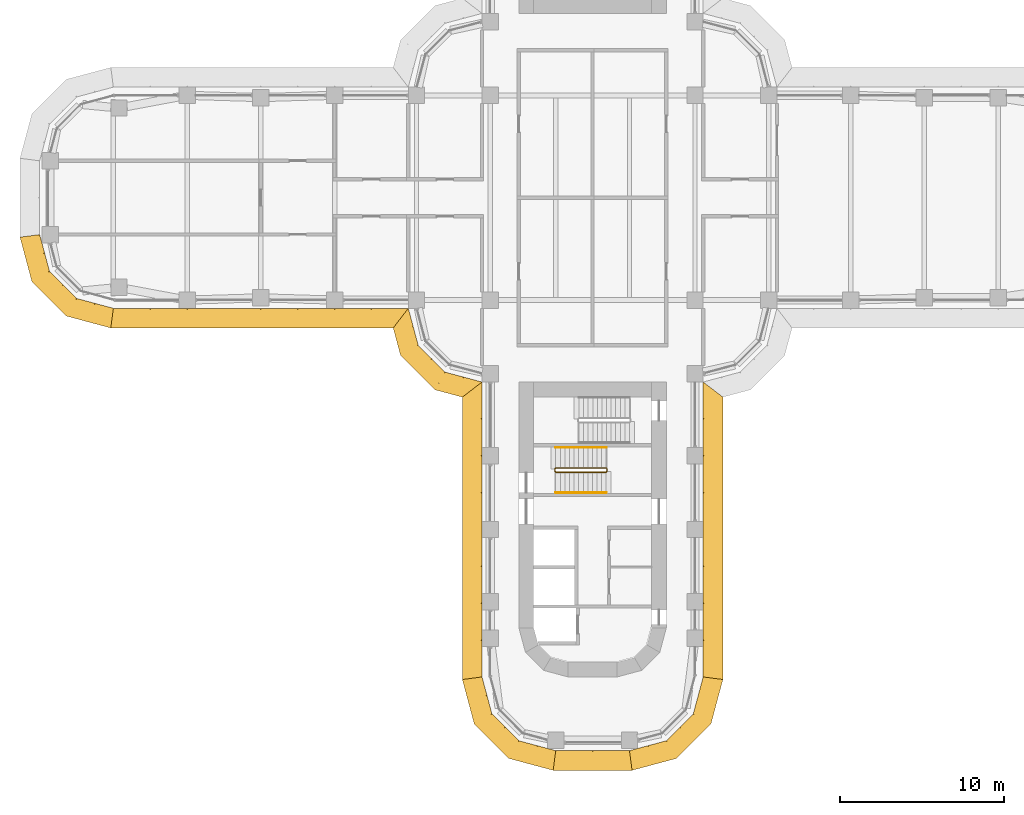
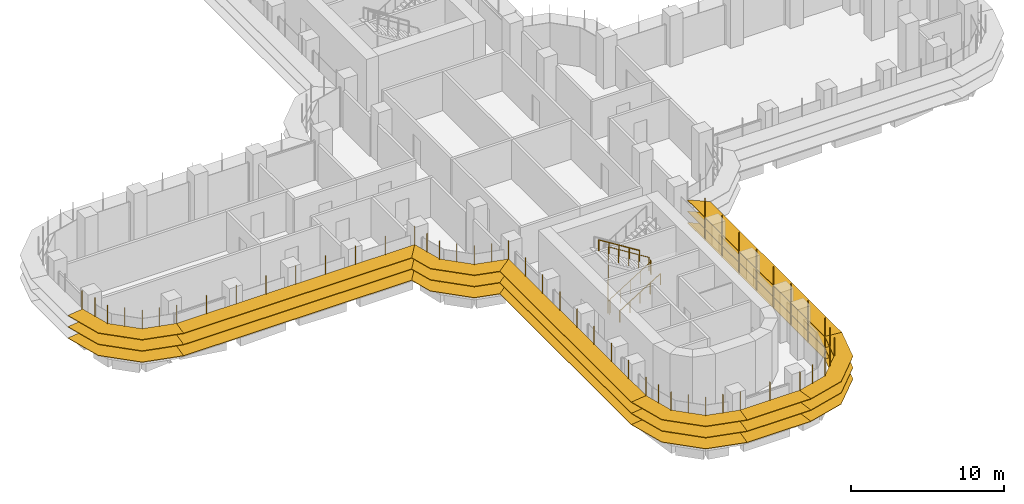
# One storey, part 20 of 23: 8 shading devices, 3 railings.
"""IFC4 building model written with IfcOpenShell, lengths in metres."""

from ifc_helpers import new_model, si_unit, direction, frame, origin, origin_2d, place, context, subcontext, project, spatial, polyline, circle, outline, extrude, faceted_brep, source, transform, mapped, material, type_object, element, save


model = new_model("IFC4")

# Units and contexts
model_context = context("Model", 3, precision=1e-05, world=origin(), true_north=direction((0.0, 1.0)))
body_context = subcontext(model_context, "Body", "Model", "MODEL_VIEW")
ifc_project = project(units=[si_unit("LENGTHUNIT", "METRE"), si_unit("AREAUNIT", "SQUARE_METRE"), si_unit("VOLUMEUNIT", "CUBIC_METRE"), si_unit("PLANEANGLEUNIT", "RADIAN"), si_unit("MASSUNIT", "GRAM", prefix="KILO")], contexts=[model_context])

# Site, building, storey
site_placement = place(None, origin())
site = spatial("IfcSite", under=ifc_project, at=site_placement, CompositionType="ELEMENT")
building_placement = place(site_placement, origin())
building = spatial("IfcBuilding", under=site, at=building_placement, Name="Zarbagh Exchange Tower", CompositionType="ELEMENT")
storey_placement = place(building_placement, frame((0.0, 0.0, 64.800048828125)))
storey = spatial("IfcBuildingStorey", under=building, at=storey_placement, Name="L14", CompositionType="ELEMENT", Elevation=64.800048828125)

# Railings
ifc_material_1 = material(Name="Stainless steel", Category="steel")
railing_type_1 = type_object("IfcRailingType", Name="Stair guard 1100 mm", PredefinedType="GUARDRAIL", material=ifc_material_1)
railing_1_placement = place(storey_placement, frame((0.830078125, -16.5, 2.27490234375)))
element("IfcRailing", 1, at=railing_1_placement, inside=storey, type_object=railing_type_1, Name="ST3 stair guard 1", PredefinedType="GUARDRAIL", context=body_context, shape_type="SweptSolid", body=[
    extrude(circle(Radius=0.02392578125, at=origin_2d()), frame((0.0, 0.0, 1.076171875), z_axis=(-0.847998304005, 0.0, 0.529998940003), x_axis=(0.0, -1.0, 0.0)), (0.0, 0.0, 1.0), 3.632080078125),
    extrude(circle(Radius=0.02392578125, at=origin_2d()), frame((-3.080078125, 0.0, 3.0009765625), z_axis=(-0.011914834358, -0.011914834358, -0.999858026644), x_axis=(0.707106781187, -0.707106781187, 0.0)), (0.0, 0.0, 1.0), 4.200439453125),
    extrude(circle(Radius=0.02392578125, at=origin_2d()), frame((-3.130126953125, -0.050048828125, -1.19873046875), z_axis=(0.0, -1.0, 0.0), x_axis=(1.0, 0.0, 0.0)), (0.0, 0.0, 1.0), 0.14990234375),
    extrude(circle(Radius=0.02392578125, at=origin_2d()), frame((-3.130126953125, -0.199951171875, -1.19873046875), z_axis=(0.265065253269, -0.265065253269, 0.927081885822), x_axis=(0.707106781187, 0.707106781187, 0.0)), (0.0, 0.0, 1.0), 0.188720703125),
    extrude(circle(Radius=0.02392578125, at=origin_2d()), frame((-3.080078125, -0.25, -1.02392578125), z_axis=(0.848028513186, 0.0, 0.529950602248), x_axis=(0.0, 1.0, 0.0)), (0.0, 0.0, 1.0), 3.632080078125),
    extrude(circle(Radius=0.02392578125, at=origin_2d()), frame((0.0, -0.25, 0.90087890625), z_axis=(0.705375805398, 0.708833529934, 0.0), x_axis=(-0.708833529934, 0.705375805398, 0.0)), (0.0, 0.0, 1.0), 0.070556640625),
    extrude(circle(Radius=0.02392578125, at=origin_2d()), frame((0.0498046875, -0.199951171875, 0.90087890625), z_axis=(0.0, 1.0, 0.0), x_axis=(-1.0, 0.0, 0.0)), (0.0, 0.0, 1.0), 0.14990234375),
    extrude(circle(Radius=0.02099609375, at=origin_2d()), origin(), (0.0, 0.0, 1.0), 1.052001953125),
    extrude(circle(Radius=0.02099609375, at=origin_2d()), frame((-0.77001953125, 0.0, 0.481201171875)), (0.0, 0.0, 1.0), 1.052001953125),
    extrude(circle(Radius=0.02099609375, at=origin_2d()), frame((-1.5400390625, 0.0, 0.96240234375)), (0.0, 0.0, 1.0), 1.052001953125),
    extrude(circle(Radius=0.02099609375, at=origin_2d()), frame((-2.31005859375, 0.0, 1.44384765625)), (0.0, 0.0, 1.0), 1.052001953125),
    extrude(circle(Radius=0.02099609375, at=origin_2d()), frame((-3.080078125, 0.0, 1.925048828125)), (0.0, 0.0, 1.0), 1.052001953125),
    extrude(circle(Radius=0.02099609375, at=origin_2d()), frame((-3.092529296875, -0.012451171875, 0.875)), (0.0, 0.0, 1.0), 1.052001953125),
    extrude(circle(Radius=0.02099609375, at=origin_2d()), frame((-3.10498046875, -0.02490234375, -0.1748046875)), (0.0, 0.0, 1.0), 1.052001953125),
    extrude(circle(Radius=0.02099609375, at=origin_2d()), frame((-3.11767578125, -0.03759765625, -1.224853515625)), (0.0, 0.0, 1.0), 1.052001953125),
    extrude(circle(Radius=0.02099609375, at=origin_2d()), frame((-3.130126953125, -0.050048828125, -2.27490234375)), (0.0, 0.0, 1.0), 1.052001953125),
    extrude(circle(Radius=0.02099609375, at=origin_2d()), frame((-3.130126953125, -0.199951171875, -2.27490234375)), (0.0, 0.0, 1.0), 1.052001953125),
    extrude(circle(Radius=0.02099609375, at=origin_2d()), frame((-3.080078125, -0.25, -2.099853515625)), (0.0, 0.0, 1.0), 1.052001953125),
    extrude(circle(Radius=0.02099609375, at=origin_2d()), frame((-2.31005859375, -0.25, -1.61865234375)), (0.0, 0.0, 1.0), 1.052001953125),
    extrude(circle(Radius=0.02099609375, at=origin_2d()), frame((-1.5400390625, -0.25, -1.137451171875)), (0.0, 0.0, 1.0), 1.052001953125),
    extrude(circle(Radius=0.02099609375, at=origin_2d()), frame((-0.77001953125, -0.25, -0.65625)), (0.0, 0.0, 1.0), 1.052001953125),
    extrude(circle(Radius=0.02099609375, at=origin_2d()), frame((0.0, -0.25, -0.175048828125)), (0.0, 0.0, 1.0), 1.052001953125),
    extrude(circle(Radius=0.02099609375, at=origin_2d()), frame((0.0498046875, -0.199951171875, -0.175048828125)), (0.0, 0.0, 1.0), 1.052001953125),
    extrude(circle(Radius=0.02099609375, at=origin_2d()), frame((0.0498046875, -0.050048828125, -0.175048828125)), (0.0, 0.0, 1.0), 1.052001953125),
])
railing_type_2 = type_object("IfcRailingType", Name="Stair handrail 900 mm", PredefinedType="HANDRAIL", material=ifc_material_1)
railing_2_placement = place(storey_placement, frame((-2.25, -18.0, 0.175048828125)))
element("IfcRailing", 2, at=railing_2_placement, inside=storey, type_object=railing_type_2, Name="ST3 stair handrail 1", PredefinedType="HANDRAIL", context=body_context, shape_type="SweptSolid", body=[
    extrude(circle(Radius=0.02392578125, at=origin_2d()), frame((0.0, 0.0, 0.8759765625), z_axis=(0.848028513186, 0.0, 0.529950602248), x_axis=(0.0, 1.0, 0.0)), (0.0, 0.0, 1.0), 3.632080078125),
    extrude(circle(Radius=0.02099609375, at=origin_2d()), origin(), (0.0, 0.0, 1.0), 0.851806640625),
    extrude(circle(Radius=0.02099609375, at=origin_2d()), frame((0.77001953125, 0.0, 0.481201171875)), (0.0, 0.0, 1.0), 0.851806640625),
    extrude(circle(Radius=0.02099609375, at=origin_2d()), frame((1.5400390625, 0.0, 0.96240234375)), (0.0, 0.0, 1.0), 0.851806640625),
    extrude(circle(Radius=0.02099609375, at=origin_2d()), frame((2.31005859375, 0.0, 1.443603515625)), (0.0, 0.0, 1.0), 0.851806640625),
    extrude(circle(Radius=0.02099609375, at=origin_2d()), frame((3.080078125, 0.0, 1.9248046875)), (0.0, 0.0, 1.0), 0.851806640625),
])
railing_3_placement = place(storey_placement, frame((0.830078125, -15.25, 2.27490234375)))
element("IfcRailing", 3, at=railing_3_placement, inside=storey, type_object=railing_type_2, Name="ST3 stair handrail 2", PredefinedType="HANDRAIL", context=body_context, shape_type="SweptSolid", body=[
    extrude(circle(Radius=0.02392578125, at=origin_2d()), frame((0.0, 0.0, 0.8759765625), z_axis=(-0.847998304005, 0.0, 0.529998940003), x_axis=(0.0, -1.0, 0.0)), (0.0, 0.0, 1.0), 3.632080078125),
    extrude(circle(Radius=0.02099609375, at=origin_2d()), origin(), (0.0, 0.0, 1.0), 0.851806640625),
    extrude(circle(Radius=0.02099609375, at=origin_2d()), frame((-0.77001953125, 0.0, 0.481201171875)), (0.0, 0.0, 1.0), 0.851806640625),
    extrude(circle(Radius=0.02099609375, at=origin_2d()), frame((-1.5400390625, 0.0, 0.96240234375)), (0.0, 0.0, 1.0), 0.851806640625),
    extrude(circle(Radius=0.02099609375, at=origin_2d()), frame((-2.31005859375, 0.0, 1.44384765625)), (0.0, 0.0, 1.0), 0.851806640625),
    extrude(circle(Radius=0.02099609375, at=origin_2d()), frame((-3.080078125, 0.0, 1.925048828125)), (0.0, 0.0, 1.0), 0.851806640625),
])

# Shading devices
ifc_material_2 = material(Name="Anodised aluminium blades and brackets", Category="aluminium")
shading_device_type = type_object("IfcShadingDeviceType", Name="SUNSHADE louvre band, 0 degree blades", PredefinedType="JALOUSIE", material=ifc_material_2)
shared_shape_1 = source(origin(), body_context, "Body", "Brep", [
    faceted_brep([(0.0, 0.0, 0.0), (0.0, 0.0, -0.0400390625), (-0.157958984375, -1.199951171875, -0.0400390625), (-0.157958984375, -1.199951171875, 0.0), (2.65087890625, -1.199951171875, 0.0), (2.65087890625, -1.199951171875, -0.0400390625), (2.329345703125, 0.0, -0.0400390625), (2.329345703125, 0.0, 0.0)], [[[0, 1, 2, 3]], [[4, 5, 6, 7]], [[0, 7, 6, 1]], [[1, 6, 5, 2]], [[2, 5, 4, 3]], [[3, 4, 7, 0]]]),
])
shared_shape_2 = source(origin(), body_context, "Body", "Brep", [
    faceted_brep([(0.0, 0.0, 0.0), (0.0, 0.0, -0.0400390625), (-0.321533203125, -1.199951171875, -0.0400390625), (-0.321533203125, -1.199951171875, 0.0), (2.65087890625, -1.199951171875, 0.0), (2.65087890625, -1.199951171875, -0.0400390625), (2.329345703125, 0.0, -0.0400390625), (2.329345703125, 0.0, 0.0)], [[[0, 1, 2, 3]], [[4, 5, 6, 7]], [[0, 7, 6, 1]], [[1, 6, 5, 2]], [[2, 5, 4, 3]], [[3, 4, 7, 0]]]),
])
shared_shape_3 = source(origin(), body_context, "Body", "Brep", [
    faceted_brep([(0.0, 0.0, 0.0), (0.0, 0.0, -0.0400390625), (-0.321533203125, -1.199951171875, -0.0400390625), (-0.321533203125, -1.199951171875, 0.0), (2.4873046875, -1.199951171875, 0.0), (2.4873046875, -1.199951171875, -0.0400390625), (2.329345703125, 0.0, -0.0400390625), (2.329345703125, 0.0, 0.0)], [[[0, 1, 2, 3]], [[4, 5, 6, 7]], [[0, 7, 6, 1]], [[1, 6, 5, 2]], [[2, 5, 4, 3]], [[3, 4, 7, 0]]]),
])
shared_shape_4 = source(origin(), body_context, "Body", "SweptSolid", [
    extrude(outline(polyline([(0.0, -0.012451171875), (0.06005859375, -0.012451171875), (0.06005859375, 0.012451171875), (0.0, 0.012451171875), (0.0, -0.012451171875)])), origin(), (0.0, 0.0, 1.0), 3.35009765625),
])
placement = place(storey_placement, origin())
element("IfcShadingDevice", 4, at=placement, inside=storey, type_object=shading_device_type, Name="SS01 sunshade band", PredefinedType="JALOUSIE", context=body_context, shape_type="MappedRepresentation", body=[
    mapped(shared_shape_1, transform((2.25, -33.75, 2.699951171875), x_axis=(0.965924289636, 0.258824779902, 0.0), y_axis=(-0.258824779902, 0.965924289636, 0.0), z_axis=(0.0, 0.0, 1.0))),
    mapped(shared_shape_1, transform((2.25, -33.75, 1.800048828125), x_axis=(0.965924289636, 0.258824779902, 0.0), y_axis=(-0.258824779902, 0.965924289636, 0.0), z_axis=(0.0, 0.0, 1.0))),
    mapped(shared_shape_1, transform((2.25, -33.75, 0.89990234375), x_axis=(0.965924289636, 0.258824779902, 0.0), y_axis=(-0.258824779902, 0.965924289636, 0.0), z_axis=(0.0, 0.0, 1.0))),
    mapped(shared_shape_2, transform((4.5, -33.147216796875, 2.699951171875), x_axis=(0.707106781187, 0.707106781187, 0.0), y_axis=(-0.707106781187, 0.707106781187, 0.0), z_axis=(0.0, 0.0, 1.0))),
    mapped(shared_shape_2, transform((4.5, -33.147216796875, 1.800048828125), x_axis=(0.707106781187, 0.707106781187, 0.0), y_axis=(-0.707106781187, 0.707106781187, 0.0), z_axis=(0.0, 0.0, 1.0))),
    mapped(shared_shape_2, transform((4.5, -33.147216796875, 0.89990234375), x_axis=(0.707106781187, 0.707106781187, 0.0), y_axis=(-0.707106781187, 0.707106781187, 0.0), z_axis=(0.0, 0.0, 1.0))),
    mapped(shared_shape_3, transform((6.147216796875, -31.5, 2.699951171875), x_axis=(0.258824779902, 0.965924289636, 0.0), y_axis=(-0.965924289636, 0.258824779902, 0.0), z_axis=(0.0, 0.0, 1.0))),
    mapped(shared_shape_3, transform((6.147216796875, -31.5, 1.800048828125), x_axis=(0.258824779902, 0.965924289636, 0.0), y_axis=(-0.965924289636, 0.258824779902, 0.0), z_axis=(0.0, 0.0, 1.0))),
    mapped(shared_shape_3, transform((6.147216796875, -31.5, 0.89990234375), x_axis=(0.258824779902, 0.965924289636, 0.0), y_axis=(-0.965924289636, 0.258824779902, 0.0), z_axis=(0.0, 0.0, 1.0))),
    mapped(shared_shape_4, transform((2.25, -33.75, 0.829833984375), x_axis=(0.130529263012, -0.991444457092, 0.0), y_axis=(0.991444457092, 0.130529263012, 0.0), z_axis=(0.0, 0.0, 1.0))),
    mapped(shared_shape_4, transform((3.375, -33.448486328125, 0.829833984375), x_axis=(0.258825058029, -0.96592421511, 0.0), y_axis=(0.96592421511, 0.258825058029, 0.0), z_axis=(0.0, 0.0, 1.0))),
    mapped(shared_shape_4, transform((4.5, -33.147216796875, 0.829833984375), x_axis=(0.50000275701, -0.866023812018, 0.0), y_axis=(0.866023812018, 0.50000275701, 0.0), z_axis=(0.0, 0.0, 1.0))),
    mapped(shared_shape_4, transform((5.323486328125, -32.323486328125, 0.829833984375), x_axis=(0.707106781187, -0.707106781187, 0.0), y_axis=(0.707106781187, 0.707106781187, 0.0), z_axis=(0.0, 0.0, 1.0))),
    mapped(shared_shape_4, transform((6.147216796875, -31.5, 0.829833984375), x_axis=(0.866023812018, -0.50000275701, 0.0), y_axis=(0.50000275701, 0.866023812018, 0.0), z_axis=(0.0, 0.0, 1.0))),
    mapped(shared_shape_4, transform((6.448486328125, -30.375, 0.829833984375), x_axis=(0.96592421511, -0.258825058029, 0.0), y_axis=(0.258825058029, 0.96592421511, 0.0), z_axis=(0.0, 0.0, 1.0))),
])
element("IfcShadingDevice", 5, at=placement, inside=storey, type_object=shading_device_type, Name="SS19 sunshade band", PredefinedType="JALOUSIE", context=body_context, shape_type="MappedRepresentation", body=[
    mapped(shared_shape_1, transform((-33.75, -2.25, 2.699951171875), x_axis=(0.258824779902, -0.965924289636, 0.0), y_axis=(0.965924289636, 0.258824779902, 0.0), z_axis=(0.0, 0.0, 1.0))),
    mapped(shared_shape_1, transform((-33.75, -2.25, 1.800048828125), x_axis=(0.258824779902, -0.965924289636, 0.0), y_axis=(0.965924289636, 0.258824779902, 0.0), z_axis=(0.0, 0.0, 1.0))),
    mapped(shared_shape_1, transform((-33.75, -2.25, 0.89990234375), x_axis=(0.258824779902, -0.965924289636, 0.0), y_axis=(0.965924289636, 0.258824779902, 0.0), z_axis=(0.0, 0.0, 1.0))),
    mapped(shared_shape_2, transform((-33.147216796875, -4.5, 2.699951171875), x_axis=(0.707106781187, -0.707106781187, 0.0), y_axis=(0.707106781187, 0.707106781187, 0.0), z_axis=(0.0, 0.0, 1.0))),
    mapped(shared_shape_2, transform((-33.147216796875, -4.5, 1.800048828125), x_axis=(0.707106781187, -0.707106781187, 0.0), y_axis=(0.707106781187, 0.707106781187, 0.0), z_axis=(0.0, 0.0, 1.0))),
    mapped(shared_shape_2, transform((-33.147216796875, -4.5, 0.89990234375), x_axis=(0.707106781187, -0.707106781187, 0.0), y_axis=(0.707106781187, 0.707106781187, 0.0), z_axis=(0.0, 0.0, 1.0))),
    mapped(shared_shape_3, transform((-31.5, -6.147216796875, 2.699951171875), x_axis=(0.965924289636, -0.258824779902, 0.0), y_axis=(0.258824779902, 0.965924289636, 0.0), z_axis=(0.0, 0.0, 1.0))),
    mapped(shared_shape_3, transform((-31.5, -6.147216796875, 1.800048828125), x_axis=(0.965924289636, -0.258824779902, 0.0), y_axis=(0.258824779902, 0.965924289636, 0.0), z_axis=(0.0, 0.0, 1.0))),
    mapped(shared_shape_3, transform((-31.5, -6.147216796875, 0.89990234375), x_axis=(0.965924289636, -0.258824779902, 0.0), y_axis=(0.258824779902, 0.965924289636, 0.0), z_axis=(0.0, 0.0, 1.0))),
    mapped(shared_shape_4, transform((-33.75, -2.25, 0.829833984375), x_axis=(-0.991444457092, -0.130529263012, 0.0), y_axis=(0.130529263012, -0.991444457092, 0.0), z_axis=(0.0, 0.0, 1.0))),
    mapped(shared_shape_4, transform((-33.448486328125, -3.375, 0.829833984375), x_axis=(-0.96592421511, -0.258825058029, 0.0), y_axis=(0.258825058029, -0.96592421511, 0.0), z_axis=(0.0, 0.0, 1.0))),
    mapped(shared_shape_4, transform((-33.147216796875, -4.5, 0.829833984375), x_axis=(-0.866023812018, -0.50000275701, 0.0), y_axis=(0.50000275701, -0.866023812018, 0.0), z_axis=(0.0, 0.0, 1.0))),
    mapped(shared_shape_4, transform((-32.323486328125, -5.323486328125, 0.829833984375), x_axis=(-0.707106781187, -0.707106781187, 0.0), y_axis=(0.707106781187, -0.707106781187, 0.0), z_axis=(0.0, 0.0, 1.0))),
    mapped(shared_shape_4, transform((-31.5, -6.147216796875, 0.829833984375), x_axis=(-0.50000275701, -0.866023812018, 0.0), y_axis=(0.866023812018, -0.50000275701, 0.0), z_axis=(0.0, 0.0, 1.0))),
    mapped(shared_shape_4, transform((-30.375, -6.448486328125, 0.829833984375), x_axis=(-0.258825058029, -0.96592421511, 0.0), y_axis=(0.96592421511, -0.258825058029, 0.0), z_axis=(0.0, 0.0, 1.0))),
])
element("IfcShadingDevice", 6, at=placement, inside=storey, type_object=shading_device_type, Name="SS23 sunshade band", PredefinedType="JALOUSIE", context=body_context, shape_type="MappedRepresentation", body=[
    mapped(shared_shape_1, transform((-6.75, -29.25, 2.699951171875), x_axis=(0.258824779902, -0.965924289636, 0.0), y_axis=(0.965924289636, 0.258824779902, 0.0), z_axis=(0.0, 0.0, 1.0))),
    mapped(shared_shape_1, transform((-6.75, -29.25, 1.800048828125), x_axis=(0.258824779902, -0.965924289636, 0.0), y_axis=(0.965924289636, 0.258824779902, 0.0), z_axis=(0.0, 0.0, 1.0))),
    mapped(shared_shape_1, transform((-6.75, -29.25, 0.89990234375), x_axis=(0.258824779902, -0.965924289636, 0.0), y_axis=(0.965924289636, 0.258824779902, 0.0), z_axis=(0.0, 0.0, 1.0))),
    mapped(shared_shape_2, transform((-6.147216796875, -31.5, 2.699951171875), x_axis=(0.707106781187, -0.707106781187, 0.0), y_axis=(0.707106781187, 0.707106781187, 0.0), z_axis=(0.0, 0.0, 1.0))),
    mapped(shared_shape_2, transform((-6.147216796875, -31.5, 1.800048828125), x_axis=(0.707106781187, -0.707106781187, 0.0), y_axis=(0.707106781187, 0.707106781187, 0.0), z_axis=(0.0, 0.0, 1.0))),
    mapped(shared_shape_2, transform((-6.147216796875, -31.5, 0.89990234375), x_axis=(0.707106781187, -0.707106781187, 0.0), y_axis=(0.707106781187, 0.707106781187, 0.0), z_axis=(0.0, 0.0, 1.0))),
    mapped(shared_shape_3, transform((-4.5, -33.147216796875, 2.699951171875), x_axis=(0.965924289636, -0.258824779902, 0.0), y_axis=(0.258824779902, 0.965924289636, 0.0), z_axis=(0.0, 0.0, 1.0))),
    mapped(shared_shape_3, transform((-4.5, -33.147216796875, 1.800048828125), x_axis=(0.965924289636, -0.258824779902, 0.0), y_axis=(0.258824779902, 0.965924289636, 0.0), z_axis=(0.0, 0.0, 1.0))),
    mapped(shared_shape_3, transform((-4.5, -33.147216796875, 0.89990234375), x_axis=(0.965924289636, -0.258824779902, 0.0), y_axis=(0.258824779902, 0.965924289636, 0.0), z_axis=(0.0, 0.0, 1.0))),
    mapped(shared_shape_4, transform((-6.75, -29.25, 0.829833984375), x_axis=(-0.991444457092, -0.130529263012, 0.0), y_axis=(0.130529263012, -0.991444457092, 0.0), z_axis=(0.0, 0.0, 1.0))),
    mapped(shared_shape_4, transform((-6.448486328125, -30.375, 0.829833984375), x_axis=(-0.96592421511, -0.258825058029, 0.0), y_axis=(0.258825058029, -0.96592421511, 0.0), z_axis=(0.0, 0.0, 1.0))),
    mapped(shared_shape_4, transform((-6.147216796875, -31.5, 0.829833984375), x_axis=(-0.866023812018, -0.50000275701, 0.0), y_axis=(0.50000275701, -0.866023812018, 0.0), z_axis=(0.0, 0.0, 1.0))),
    mapped(shared_shape_4, transform((-5.323486328125, -32.323486328125, 0.829833984375), x_axis=(-0.707106781187, -0.707106781187, 0.0), y_axis=(0.707106781187, -0.707106781187, 0.0), z_axis=(0.0, 0.0, 1.0))),
    mapped(shared_shape_4, transform((-4.5, -33.147216796875, 0.829833984375), x_axis=(-0.50000275701, -0.866023812018, 0.0), y_axis=(0.866023812018, -0.50000275701, 0.0), z_axis=(0.0, 0.0, 1.0))),
    mapped(shared_shape_4, transform((-3.375, -33.448486328125, 0.829833984375), x_axis=(-0.258825058029, -0.96592421511, 0.0), y_axis=(0.96592421511, -0.258825058029, 0.0), z_axis=(0.0, 0.0, 1.0))),
])
shared_shape_5 = source(origin(), body_context, "Body", "Brep", [
    faceted_brep([(0.0, 0.0, 0.0), (0.0, 0.0, -0.0400390625), (0.9208984375, -1.199951171875, -0.0400390625), (0.9208984375, -1.199951171875, 0.0), (2.65087890625, -1.199951171875, 0.0), (2.65087890625, -1.199951171875, -0.0400390625), (2.329345703125, 0.0, -0.0400390625), (2.329345703125, 0.0, 0.0)], [[[0, 1, 2, 3]], [[4, 5, 6, 7]], [[0, 7, 6, 1]], [[1, 6, 5, 2]], [[2, 5, 4, 3]], [[3, 4, 7, 0]]]),
])
shared_shape_6 = source(origin(), body_context, "Body", "Brep", [
    faceted_brep([(0.0, 0.0, 0.0), (0.0, 0.0, -0.0400390625), (-0.321533203125, -1.199951171875, -0.0400390625), (-0.321533203125, -1.199951171875, 0.0), (1.40869140625, -1.199951171875, 0.0), (1.40869140625, -1.199951171875, -0.0400390625), (2.329345703125, 0.0, -0.0400390625), (2.329345703125, 0.0, 0.0)], [[[0, 1, 2, 3]], [[4, 5, 6, 7]], [[0, 7, 6, 1]], [[1, 6, 5, 2]], [[2, 5, 4, 3]], [[3, 4, 7, 0]]]),
])
element("IfcShadingDevice", 7, at=placement, inside=storey, type_object=shading_device_type, Name="SS21 sunshade band", PredefinedType="JALOUSIE", context=body_context, shape_type="MappedRepresentation", body=[
    mapped(shared_shape_5, transform((-11.25, -6.75, 2.699951171875), x_axis=(0.258824779902, -0.965924289636, 0.0), y_axis=(0.965924289636, 0.258824779902, 0.0), z_axis=(0.0, 0.0, 1.0))),
    mapped(shared_shape_5, transform((-11.25, -6.75, 1.800048828125), x_axis=(0.258824779902, -0.965924289636, 0.0), y_axis=(0.965924289636, 0.258824779902, 0.0), z_axis=(0.0, 0.0, 1.0))),
    mapped(shared_shape_5, transform((-11.25, -6.75, 0.89990234375), x_axis=(0.258824779902, -0.965924289636, 0.0), y_axis=(0.965924289636, 0.258824779902, 0.0), z_axis=(0.0, 0.0, 1.0))),
    mapped(shared_shape_2, transform((-10.647216796875, -9.0, 2.699951171875), x_axis=(0.707106781187, -0.707106781187, 0.0), y_axis=(0.707106781187, 0.707106781187, 0.0), z_axis=(0.0, 0.0, 1.0))),
    mapped(shared_shape_2, transform((-10.647216796875, -9.0, 1.800048828125), x_axis=(0.707106781187, -0.707106781187, 0.0), y_axis=(0.707106781187, 0.707106781187, 0.0), z_axis=(0.0, 0.0, 1.0))),
    mapped(shared_shape_2, transform((-10.647216796875, -9.0, 0.89990234375), x_axis=(0.707106781187, -0.707106781187, 0.0), y_axis=(0.707106781187, 0.707106781187, 0.0), z_axis=(0.0, 0.0, 1.0))),
    mapped(shared_shape_6, transform((-9.0, -10.647216796875, 2.699951171875), x_axis=(0.965924289636, -0.258824779902, 0.0), y_axis=(0.258824779902, 0.965924289636, 0.0), z_axis=(0.0, 0.0, 1.0))),
    mapped(shared_shape_6, transform((-9.0, -10.647216796875, 1.800048828125), x_axis=(0.965924289636, -0.258824779902, 0.0), y_axis=(0.258824779902, 0.965924289636, 0.0), z_axis=(0.0, 0.0, 1.0))),
    mapped(shared_shape_6, transform((-9.0, -10.647216796875, 0.89990234375), x_axis=(0.965924289636, -0.258824779902, 0.0), y_axis=(0.258824779902, 0.965924289636, 0.0), z_axis=(0.0, 0.0, 1.0))),
    mapped(shared_shape_4, transform((-11.25, -6.75, 0.829833984375), x_axis=(-0.608758892, -0.793355287, 0.0), y_axis=(0.793355287, -0.608758892, 0.0), z_axis=(0.0, 0.0, 1.0))),
    mapped(shared_shape_4, transform((-10.948486328125, -7.875, 0.829833984375), x_axis=(-0.96592421511, -0.258825058029, 0.0), y_axis=(0.258825058029, -0.96592421511, 0.0), z_axis=(0.0, 0.0, 1.0))),
    mapped(shared_shape_4, transform((-10.647216796875, -9.0, 0.829833984375), x_axis=(-0.866023812018, -0.50000275701, 0.0), y_axis=(0.50000275701, -0.866023812018, 0.0), z_axis=(0.0, 0.0, 1.0))),
    mapped(shared_shape_4, transform((-9.823486328125, -9.823486328125, 0.829833984375), x_axis=(-0.707106781187, -0.707106781187, 0.0), y_axis=(0.707106781187, -0.707106781187, 0.0), z_axis=(0.0, 0.0, 1.0))),
    mapped(shared_shape_4, transform((-9.0, -10.647216796875, 0.829833984375), x_axis=(-0.50000275701, -0.866023812018, 0.0), y_axis=(0.866023812018, -0.50000275701, 0.0), z_axis=(0.0, 0.0, 1.0))),
    mapped(shared_shape_4, transform((-7.875, -10.948486328125, 0.829833984375), x_axis=(-0.258825058029, -0.96592421511, 0.0), y_axis=(0.96592421511, -0.258825058029, 0.0), z_axis=(0.0, 0.0, 1.0))),
])
shared_shape_7 = source(origin(), body_context, "Body", "Brep", [
    faceted_brep([(0.0, 0.0, 0.0), (0.0, 0.0, -0.0400390625), (-0.157958984375, -1.199951171875, -0.0400390625), (-0.157958984375, -1.199951171875, 0.0), (17.0791015625, -1.199951171875, 0.0), (17.0791015625, -1.199951171875, -0.0400390625), (18.0, 0.0, -0.0400390625), (18.0, 0.0, 0.0)], [[[0, 1, 2, 3]], [[4, 5, 6, 7]], [[0, 7, 6, 1]], [[1, 6, 5, 2]], [[2, 5, 4, 3]], [[3, 4, 7, 0]]]),
])
element("IfcShadingDevice", 8, at=placement, inside=storey, type_object=shading_device_type, Name="SS02 sunshade band", PredefinedType="JALOUSIE", context=body_context, shape_type="MappedRepresentation", body=[
    mapped(shared_shape_7, transform((6.75, -29.25, 2.699951171875), x_axis=(0.0, 1.0, 0.0), y_axis=(-1.0, 0.0, 0.0), z_axis=(0.0, 0.0, 1.0))),
    mapped(shared_shape_7, transform((6.75, -29.25, 1.800048828125), x_axis=(0.0, 1.0, 0.0), y_axis=(-1.0, 0.0, 0.0), z_axis=(0.0, 0.0, 1.0))),
    mapped(shared_shape_7, transform((6.75, -29.25, 0.89990234375), x_axis=(0.0, 1.0, 0.0), y_axis=(-1.0, 0.0, 0.0), z_axis=(0.0, 0.0, 1.0))),
    mapped(shared_shape_4, transform((6.75, -29.25, 0.829833984375), x_axis=(0.991444457092, -0.130529263012, 0.0), y_axis=(0.130529263012, 0.991444457092, 0.0), z_axis=(0.0, 0.0, 1.0))),
    mapped(shared_shape_4, transform((6.75, -27.0, 0.829833984375), x_axis=(1.0, 0.0, 0.0), y_axis=(0.0, 1.0, 0.0), z_axis=(0.0, 0.0, 1.0))),
    mapped(shared_shape_4, transform((6.75, -24.75, 0.829833984375), x_axis=(1.0, 0.0, 0.0), y_axis=(0.0, 1.0, 0.0), z_axis=(0.0, 0.0, 1.0))),
    mapped(shared_shape_4, transform((6.75, -22.5, 0.829833984375), x_axis=(1.0, 0.0, 0.0), y_axis=(0.0, 1.0, 0.0), z_axis=(0.0, 0.0, 1.0))),
    mapped(shared_shape_4, transform((6.75, -20.25, 0.829833984375), x_axis=(1.0, 0.0, 0.0), y_axis=(0.0, 1.0, 0.0), z_axis=(0.0, 0.0, 1.0))),
    mapped(shared_shape_4, transform((6.75, -18.0, 0.829833984375), x_axis=(1.0, 0.0, 0.0), y_axis=(0.0, 1.0, 0.0), z_axis=(0.0, 0.0, 1.0))),
    mapped(shared_shape_4, transform((6.75, -15.75, 0.829833984375), x_axis=(1.0, 0.0, 0.0), y_axis=(0.0, 1.0, 0.0), z_axis=(0.0, 0.0, 1.0))),
    mapped(shared_shape_4, transform((6.75, -13.5, 0.829833984375), x_axis=(1.0, 0.0, 0.0), y_axis=(0.0, 1.0, 0.0), z_axis=(0.0, 0.0, 1.0))),
])
element("IfcShadingDevice", 9, at=placement, inside=storey, type_object=shading_device_type, Name="SS20 sunshade band", PredefinedType="JALOUSIE", context=body_context, shape_type="MappedRepresentation", body=[
    mapped(shared_shape_7, transform((-29.25, -6.75, 2.699951171875), x_axis=(1.0, 0.0, 0.0), y_axis=(0.0, 1.0, 0.0), z_axis=(0.0, 0.0, 1.0))),
    mapped(shared_shape_7, transform((-29.25, -6.75, 1.800048828125), x_axis=(1.0, 0.0, 0.0), y_axis=(0.0, 1.0, 0.0), z_axis=(0.0, 0.0, 1.0))),
    mapped(shared_shape_7, transform((-29.25, -6.75, 0.89990234375), x_axis=(1.0, 0.0, 0.0), y_axis=(0.0, 1.0, 0.0), z_axis=(0.0, 0.0, 1.0))),
    mapped(shared_shape_4, transform((-29.25, -6.75, 0.829833984375), x_axis=(-0.130529263012, -0.991444457092, 0.0), y_axis=(0.991444457092, -0.130529263012, 0.0), z_axis=(0.0, 0.0, 1.0))),
    mapped(shared_shape_4, transform((-27.0, -6.75, 0.829833984375), x_axis=(0.0, -1.0, 0.0), y_axis=(1.0, 0.0, 0.0), z_axis=(0.0, 0.0, 1.0))),
    mapped(shared_shape_4, transform((-24.75, -6.75, 0.829833984375), x_axis=(0.0, -1.0, 0.0), y_axis=(1.0, 0.0, 0.0), z_axis=(0.0, 0.0, 1.0))),
    mapped(shared_shape_4, transform((-22.5, -6.75, 0.829833984375), x_axis=(0.0, -1.0, 0.0), y_axis=(1.0, 0.0, 0.0), z_axis=(0.0, 0.0, 1.0))),
    mapped(shared_shape_4, transform((-20.25, -6.75, 0.829833984375), x_axis=(0.0, -1.0, 0.0), y_axis=(1.0, 0.0, 0.0), z_axis=(0.0, 0.0, 1.0))),
    mapped(shared_shape_4, transform((-18.0, -6.75, 0.829833984375), x_axis=(0.0, -1.0, 0.0), y_axis=(1.0, 0.0, 0.0), z_axis=(0.0, 0.0, 1.0))),
    mapped(shared_shape_4, transform((-15.75, -6.75, 0.829833984375), x_axis=(0.0, -1.0, 0.0), y_axis=(1.0, 0.0, 0.0), z_axis=(0.0, 0.0, 1.0))),
    mapped(shared_shape_4, transform((-13.5, -6.75, 0.829833984375), x_axis=(0.0, -1.0, 0.0), y_axis=(1.0, 0.0, 0.0), z_axis=(0.0, 0.0, 1.0))),
])
shared_shape_8 = source(origin(), body_context, "Body", "Brep", [
    faceted_brep([(0.0, 0.0, 0.0), (0.0, 0.0, -0.0400390625), (0.9208984375, -1.199951171875, -0.0400390625), (0.9208984375, -1.199951171875, 0.0), (18.157958984375, -1.199951171875, 0.0), (18.157958984375, -1.199951171875, -0.0400390625), (18.0, 0.0, -0.0400390625), (18.0, 0.0, 0.0)], [[[0, 1, 2, 3]], [[4, 5, 6, 7]], [[0, 7, 6, 1]], [[1, 6, 5, 2]], [[2, 5, 4, 3]], [[3, 4, 7, 0]]]),
])
element("IfcShadingDevice", 10, at=placement, inside=storey, type_object=shading_device_type, Name="SS22 sunshade band", PredefinedType="JALOUSIE", context=body_context, shape_type="MappedRepresentation", body=[
    mapped(shared_shape_8, transform((-6.75, -11.25, 2.699951171875), x_axis=(0.0, -1.0, 0.0), y_axis=(1.0, 0.0, 0.0), z_axis=(0.0, 0.0, 1.0))),
    mapped(shared_shape_8, transform((-6.75, -11.25, 1.800048828125), x_axis=(0.0, -1.0, 0.0), y_axis=(1.0, 0.0, 0.0), z_axis=(0.0, 0.0, 1.0))),
    mapped(shared_shape_8, transform((-6.75, -11.25, 0.89990234375), x_axis=(0.0, -1.0, 0.0), y_axis=(1.0, 0.0, 0.0), z_axis=(0.0, 0.0, 1.0))),
    mapped(shared_shape_4, transform((-6.75, -11.25, 0.829833984375), x_axis=(-0.793355287, -0.608758892, 0.0), y_axis=(0.608758892, -0.793355287, 0.0), z_axis=(0.0, 0.0, 1.0))),
    mapped(shared_shape_4, transform((-6.75, -13.5, 0.829833984375), x_axis=(-1.0, 0.0, 0.0), y_axis=(0.0, -1.0, 0.0), z_axis=(0.0, 0.0, 1.0))),
    mapped(shared_shape_4, transform((-6.75, -15.75, 0.829833984375), x_axis=(-1.0, 0.0, 0.0), y_axis=(0.0, -1.0, 0.0), z_axis=(0.0, 0.0, 1.0))),
    mapped(shared_shape_4, transform((-6.75, -18.0, 0.829833984375), x_axis=(-1.0, 0.0, 0.0), y_axis=(0.0, -1.0, 0.0), z_axis=(0.0, 0.0, 1.0))),
    mapped(shared_shape_4, transform((-6.75, -20.25, 0.829833984375), x_axis=(-1.0, 0.0, 0.0), y_axis=(0.0, -1.0, 0.0), z_axis=(0.0, 0.0, 1.0))),
    mapped(shared_shape_4, transform((-6.75, -22.5, 0.829833984375), x_axis=(-1.0, 0.0, 0.0), y_axis=(0.0, -1.0, 0.0), z_axis=(0.0, 0.0, 1.0))),
    mapped(shared_shape_4, transform((-6.75, -24.75, 0.829833984375), x_axis=(-1.0, 0.0, 0.0), y_axis=(0.0, -1.0, 0.0), z_axis=(0.0, 0.0, 1.0))),
    mapped(shared_shape_4, transform((-6.75, -27.0, 0.829833984375), x_axis=(-1.0, 0.0, 0.0), y_axis=(0.0, -1.0, 0.0), z_axis=(0.0, 0.0, 1.0))),
])
shared_shape_9 = source(origin(), body_context, "Body", "Brep", [
    faceted_brep([(0.0, 0.0, 0.0), (0.0, 0.0, -0.0400390625), (-0.157958984375, -1.199951171875, -0.0400390625), (-0.157958984375, -1.199951171875, 0.0), (4.657958984375, -1.199951171875, 0.0), (4.657958984375, -1.199951171875, -0.0400390625), (4.5, 0.0, -0.0400390625), (4.5, 0.0, 0.0)], [[[0, 1, 2, 3]], [[4, 5, 6, 7]], [[0, 7, 6, 1]], [[1, 6, 5, 2]], [[2, 5, 4, 3]], [[3, 4, 7, 0]]]),
])
element("IfcShadingDevice", 11, at=placement, inside=storey, type_object=shading_device_type, Name="SS24 sunshade band", PredefinedType="JALOUSIE", context=body_context, shape_type="MappedRepresentation", body=[
    mapped(shared_shape_9, transform((-2.25, -33.75, 2.699951171875), x_axis=(1.0, 0.0, 0.0), y_axis=(0.0, 1.0, 0.0), z_axis=(0.0, 0.0, 1.0))),
    mapped(shared_shape_9, transform((-2.25, -33.75, 1.800048828125), x_axis=(1.0, 0.0, 0.0), y_axis=(0.0, 1.0, 0.0), z_axis=(0.0, 0.0, 1.0))),
    mapped(shared_shape_9, transform((-2.25, -33.75, 0.89990234375), x_axis=(1.0, 0.0, 0.0), y_axis=(0.0, 1.0, 0.0), z_axis=(0.0, 0.0, 1.0))),
    mapped(shared_shape_4, transform((-2.25, -33.75, 0.829833984375), x_axis=(-0.130529263012, -0.991444457092, 0.0), y_axis=(0.991444457092, -0.130529263012, 0.0), z_axis=(0.0, 0.0, 1.0))),
    mapped(shared_shape_4, transform((0.0, -33.75, 0.829833984375), x_axis=(0.0, -1.0, 0.0), y_axis=(1.0, 0.0, 0.0), z_axis=(0.0, 0.0, 1.0))),
])

save(model, "model.ifc")
